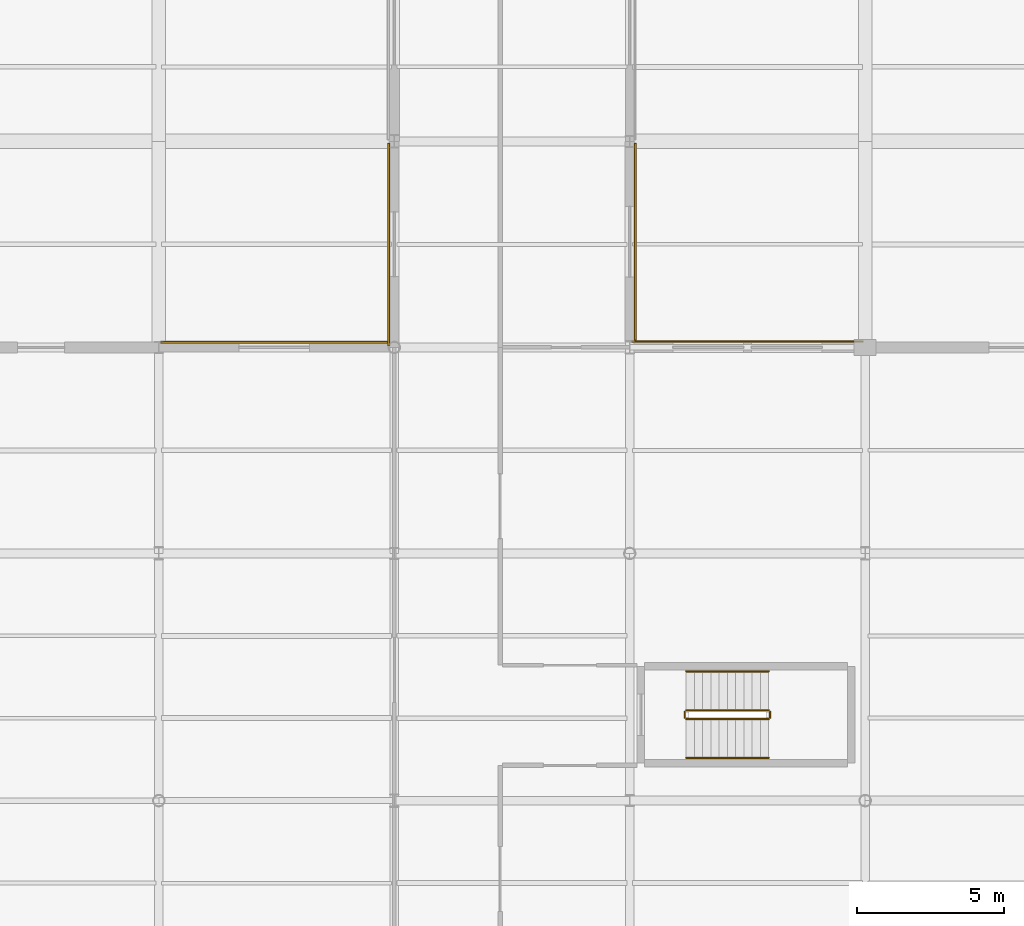
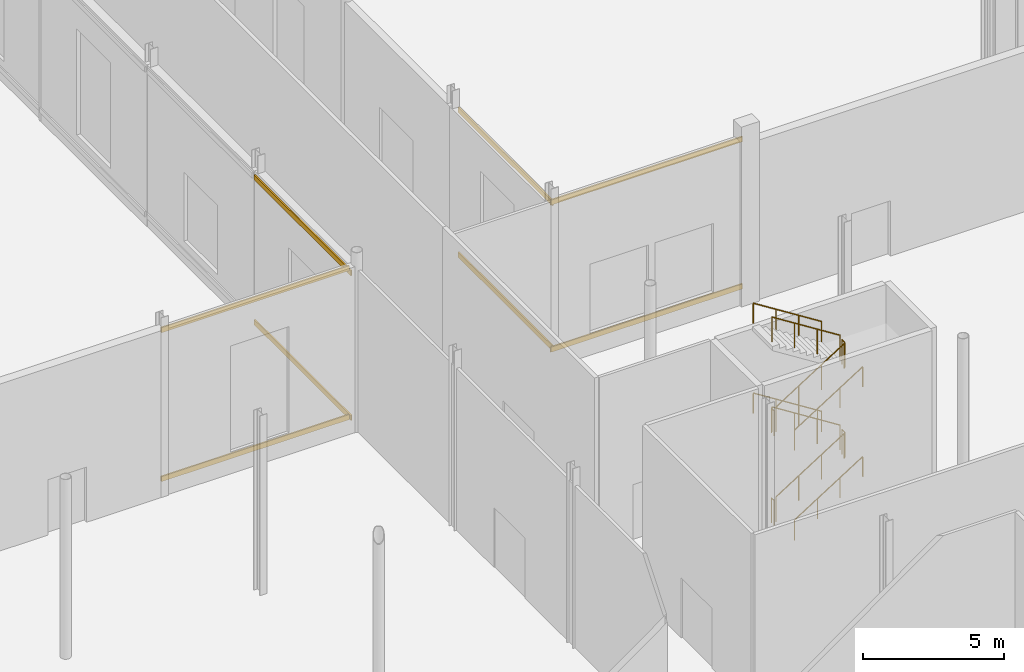
# One storey, part 163 of 176: 12 railings, 8 coverings.
"""IFC4 building model written with IfcOpenShell, lengths in metres."""

from ifc_helpers import new_model, si_unit, direction, frame, origin, origin_2d, place, context, subcontext, project, spatial, rectangle, circle, extrude, material, layer, layer_set, type_object, element, save


model = new_model("IFC4")

# Units and contexts
model_context = context("Model", 3, precision=1e-05, world=origin(), true_north=direction((0.0, 1.0)))
body_context = subcontext(model_context, "Body", "Model", "MODEL_VIEW")
ifc_project = project(units=[si_unit("LENGTHUNIT", "METRE"), si_unit("AREAUNIT", "SQUARE_METRE"), si_unit("VOLUMEUNIT", "CUBIC_METRE"), si_unit("PLANEANGLEUNIT", "RADIAN"), si_unit("MASSUNIT", "GRAM", prefix="KILO")], contexts=[model_context])

# Site, building, storey
site_placement = place(None, origin())
site = spatial("IfcSite", under=ifc_project, at=site_placement, CompositionType="ELEMENT")
building_placement = place(site_placement, origin())
building = spatial("IfcBuilding", under=site, at=building_placement, Name="Vekula Escarpment Museum", CompositionType="ELEMENT")
storey_placement = place(building_placement, origin())
storey = spatial("IfcBuildingStorey", under=building, at=storey_placement, Name="L01", CompositionType="ELEMENT", Elevation=0.0)

# Coverings
ifc_material_1 = material(Name="Polychrome limestone almasik string-course band", Category="masonry")
ifc_layer = layer(ifc_material_1, 0.06005859375)
ifc_layer_set = layer_set([ifc_layer], Name="Polychrome limestone almasik string-course band")
covering_type = type_object("IfcCoveringType", Name="COV-ALM-BAND", PredefinedType="CLADDING", material=ifc_layer_set)
for number, where, z_axis, x_axis, name in (
    (1, (52.0, 83.60107421875, 0.41015625), (0.0, 0.0, 1.0), (1.0, 0.0, 0.0), "Almasik Stone String Course L01-0095"),
    (2, (52.0, 83.60107421875, 6.794921875), (0.0, 0.0, 1.0), (1.0, 0.0, 0.0), "Almasik Stone String Course L01-0096"),
):
    element("IfcCovering", number, at=place(storey_placement, frame(where, z_axis=z_axis, x_axis=x_axis)), inside=storey, type_object=covering_type, Name=name, PredefinedType="CLADDING", context=body_context, shape_type="SweptSolid", body=[
        extrude(rectangle(XDim=7.8798828125, YDim=0.06005859375, at=origin_2d()), origin(), (0.0, 0.0, 1.0), 0.219970703125),
    ])
for number, where, z_axis, x_axis, name in (
    (3, (48.18603515625, 86.989501953125, 0.41015625), (0.0, 0.0, 1.0), (0.0, 1.0, 0.0), "Almasik Stone String Course L01-0097"),
    (4, (48.18603515625, 86.989501953125, 6.69482421875), (0.0, 0.0, 1.0), (0.0, 1.0, 0.0), "Almasik Stone String Course L01-0098"),
):
    element("IfcCovering", number, at=place(storey_placement, frame(where, z_axis=z_axis, x_axis=x_axis)), inside=storey, type_object=covering_type, Name=name, PredefinedType="CLADDING", context=body_context, shape_type="SweptSolid", body=[
        extrude(rectangle(XDim=6.700927734375, YDim=0.06005859375, at=origin_2d()), origin(), (0.0, 0.0, 1.0), 0.219970703125),
    ])
for number, where, z_axis, x_axis, name in (
    (5, (39.81396484375, 86.89990234375, 0.41015625), (0.0, 0.0, 1.0), (0.0, 1.0, 0.0), "Almasik Stone String Course L01-0149"),
    (6, (39.81396484375, 86.89990234375, 6.69482421875), (0.0, 0.0, 1.0), (0.0, 1.0, 0.0), "Almasik Stone String Course L01-0150"),
):
    element("IfcCovering", number, at=place(storey_placement, frame(where, z_axis=z_axis, x_axis=x_axis)), inside=storey, type_object=covering_type, Name=name, PredefinedType="CLADDING", context=body_context, shape_type="SweptSolid", body=[
        extrude(rectangle(XDim=6.8798828125, YDim=0.06005859375, at=origin_2d()), origin(), (0.0, 0.0, 1.0), 0.219970703125),
    ])
for number, where, z_axis, x_axis, name in (
    (7, (35.91796875, 83.575927734375, 0.41015625), (0.0, 0.0, 1.0), (1.0, 0.0, 0.0), "Almasik Stone String Course L01-0151"),
    (8, (35.91796875, 83.575927734375, 6.875), (0.0, 0.0, 1.0), (1.0, 0.0, 0.0), "Almasik Stone String Course L01-0152"),
):
    element("IfcCovering", number, at=place(storey_placement, frame(where, z_axis=z_axis, x_axis=x_axis)), inside=storey, type_object=covering_type, Name=name, PredefinedType="CLADDING", context=body_context, shape_type="SweptSolid", body=[
        extrude(rectangle(XDim=7.716064453125, YDim=0.06005859375, at=origin_2d()), origin(), (0.0, 0.0, 1.0), 0.219970703125),
    ])

# Railings
ifc_material_2 = material(Name="Painted Steel S355 stair guard", Category="steel")
railing_type_1 = type_object("IfcRailingType", Name="RL-STAIR-GUARD", PredefinedType="GUARDRAIL", material=ifc_material_2)
railing_1_placement = place(storey_placement, frame((49.919921875, 70.77001953125, 0.17724609375)))
element("IfcRailing", 9, at=railing_1_placement, inside=storey, type_object=railing_type_1, Name="L01 ST-10 stair guard 1", PredefinedType="GUARDRAIL", context=body_context, shape_type="SweptSolid", body=[
    extrude(circle(Radius=0.02392578125, at=origin_2d()), frame((0.0, 0.0, 1.076171875), z_axis=(0.844908973607, 0.0, 0.534910110503), x_axis=(0.0, 1.0, 0.0)), (0.0, 0.0, 1.0), 3.31396484375),
    extrude(circle(Radius=0.02099609375, at=origin_2d()), origin(), (0.0, 0.0, 1.0), 1.052001953125),
    extrude(circle(Radius=0.02099609375, at=origin_2d()), frame((0.933349609375, 0.0, 0.5908203125)), (0.0, 0.0, 1.0), 1.052001953125),
    extrude(circle(Radius=0.02099609375, at=origin_2d()), frame((1.86669921875, 0.0, 1.181884765625)), (0.0, 0.0, 1.0), 1.052001953125),
    extrude(circle(Radius=0.02099609375, at=origin_2d()), frame((2.800048828125, 0.0, 1.772705078125)), (0.0, 0.0, 1.0), 1.052001953125),
])
railing_2_placement = place(storey_placement, frame((52.77001953125, 70.820068359375, 1.949951171875)))
element("IfcRailing", 10, at=railing_2_placement, inside=storey, type_object=railing_type_1, Name="L01 ST-10 stair guard 2", PredefinedType="GUARDRAIL", context=body_context, shape_type="SweptSolid", body=[
    extrude(circle(Radius=0.02392578125, at=origin_2d()), frame((0.0, 0.0, 1.076171875), z_axis=(0.0, 1.0, 0.0), x_axis=(-1.0, 0.0, 0.0)), (0.0, 0.0, 1.0), 0.199951171875),
    extrude(circle(Radius=0.02099609375, at=origin_2d()), origin(), (0.0, 0.0, 1.0), 1.052001953125),
    extrude(circle(Radius=0.02099609375, at=origin_2d()), frame((0.0, 0.199951171875, 0.0)), (0.0, 0.0, 1.0), 1.052001953125),
])
railing_3_placement = place(storey_placement, frame((52.719970703125, 71.070068359375, 2.127197265625)))
element("IfcRailing", 11, at=railing_3_placement, inside=storey, type_object=railing_type_1, Name="L01 ST-10 stair guard 3", PredefinedType="GUARDRAIL", context=body_context, shape_type="SweptSolid", body=[
    extrude(circle(Radius=0.02392578125, at=origin_2d()), frame((0.0, 0.0, 1.076171875), z_axis=(-0.844908973607, 0.0, 0.534910110503), x_axis=(0.0, -1.0, 0.0)), (0.0, 0.0, 1.0), 3.31396484375),
    extrude(circle(Radius=0.02099609375, at=origin_2d()), origin(), (0.0, 0.0, 1.0), 1.052001953125),
    extrude(circle(Radius=0.02099609375, at=origin_2d()), frame((-0.933349609375, 0.0, 0.5908203125)), (0.0, 0.0, 1.0), 1.052001953125),
    extrude(circle(Radius=0.02099609375, at=origin_2d()), frame((-1.86669921875, 0.0, 1.181884765625)), (0.0, 0.0, 1.0), 1.052001953125),
    extrude(circle(Radius=0.02099609375, at=origin_2d()), frame((-2.800048828125, 0.0, 1.772705078125)), (0.0, 0.0, 1.0), 1.052001953125),
])
railing_4_placement = place(storey_placement, frame((49.8701171875, 70.820068359375, 3.89990234375)))
element("IfcRailing", 12, at=railing_4_placement, inside=storey, type_object=railing_type_1, Name="L01 ST-10 stair guard 4", PredefinedType="GUARDRAIL", context=body_context, shape_type="SweptSolid", body=[
    extrude(circle(Radius=0.02392578125, at=origin_2d()), frame((0.0, 0.0, 1.076171875), z_axis=(0.0, 1.0, 0.0), x_axis=(-1.0, 0.0, 0.0)), (0.0, 0.0, 1.0), 0.199951171875),
    extrude(circle(Radius=0.02099609375, at=origin_2d()), origin(), (0.0, 0.0, 1.0), 1.052001953125),
    extrude(circle(Radius=0.02099609375, at=origin_2d()), frame((0.0, 0.199951171875, 0.0)), (0.0, 0.0, 1.0), 1.052001953125),
])
railing_5_placement = place(storey_placement, frame((49.919921875, 70.77001953125, 4.077392578125)))
element("IfcRailing", 13, at=railing_5_placement, inside=storey, type_object=railing_type_1, Name="L01 ST-10 stair guard 5", PredefinedType="GUARDRAIL", context=body_context, shape_type="SweptSolid", body=[
    extrude(circle(Radius=0.02392578125, at=origin_2d()), frame((0.0, 0.0, 1.076171875), z_axis=(0.844908973607, 0.0, 0.534910110503), x_axis=(0.0, 1.0, 0.0)), (0.0, 0.0, 1.0), 3.31396484375),
    extrude(circle(Radius=0.02099609375, at=origin_2d()), origin(), (0.0, 0.0, 1.0), 1.052001953125),
    extrude(circle(Radius=0.02099609375, at=origin_2d()), frame((0.933349609375, 0.0, 0.5908203125)), (0.0, 0.0, 1.0), 1.052001953125),
    extrude(circle(Radius=0.02099609375, at=origin_2d()), frame((1.86669921875, 0.0, 1.181884765625)), (0.0, 0.0, 1.0), 1.052001953125),
    extrude(circle(Radius=0.02099609375, at=origin_2d()), frame((2.800048828125, 0.0, 1.772705078125)), (0.0, 0.0, 1.0), 1.052001953125),
])
railing_6_placement = place(storey_placement, frame((52.77001953125, 70.820068359375, 5.85009765625)))
element("IfcRailing", 14, at=railing_6_placement, inside=storey, type_object=railing_type_1, Name="L01 ST-10 stair guard 6", PredefinedType="GUARDRAIL", context=body_context, shape_type="SweptSolid", body=[
    extrude(circle(Radius=0.02392578125, at=origin_2d()), frame((0.0, 0.0, 1.076171875), z_axis=(0.0, 1.0, 0.0), x_axis=(-1.0, 0.0, 0.0)), (0.0, 0.0, 1.0), 0.199951171875),
    extrude(circle(Radius=0.02099609375, at=origin_2d()), origin(), (0.0, 0.0, 1.0), 1.052001953125),
    extrude(circle(Radius=0.02099609375, at=origin_2d()), frame((0.0, 0.199951171875, 0.0)), (0.0, 0.0, 1.0), 1.052001953125),
])
railing_7_placement = place(storey_placement, frame((52.719970703125, 71.070068359375, 6.02734375)))
element("IfcRailing", 15, at=railing_7_placement, inside=storey, type_object=railing_type_1, Name="L01 ST-10 stair guard 7", PredefinedType="GUARDRAIL", context=body_context, shape_type="SweptSolid", body=[
    extrude(circle(Radius=0.02392578125, at=origin_2d()), frame((0.0, 0.0, 1.076171875), z_axis=(-0.844908973607, 0.0, 0.534910110503), x_axis=(0.0, -1.0, 0.0)), (0.0, 0.0, 1.0), 3.31396484375),
    extrude(circle(Radius=0.02099609375, at=origin_2d()), origin(), (0.0, 0.0, 1.0), 1.052001953125),
    extrude(circle(Radius=0.02099609375, at=origin_2d()), frame((-0.933349609375, 0.0, 0.5908203125)), (0.0, 0.0, 1.0), 1.052001953125),
    extrude(circle(Radius=0.02099609375, at=origin_2d()), frame((-1.86669921875, 0.0, 1.181884765625)), (0.0, 0.0, 1.0), 1.052001953125),
    extrude(circle(Radius=0.02099609375, at=origin_2d()), frame((-2.800048828125, 0.0, 1.772705078125)), (0.0, 0.0, 1.0), 1.052001953125),
])
railing_8_placement = place(storey_placement, frame((49.8701171875, 70.820068359375, 0.0)))
element("IfcRailing", 16, at=railing_8_placement, inside=storey, type_object=railing_type_1, Name="L01 ST-10 stair guard 8", PredefinedType="GUARDRAIL", context=body_context, shape_type="SweptSolid", body=[
    extrude(circle(Radius=0.02392578125, at=origin_2d()), frame((0.0, 0.0, 1.076171875), z_axis=(0.0, 1.0, 0.0), x_axis=(-1.0, 0.0, 0.0)), (0.0, 0.0, 1.0), 0.199951171875),
    extrude(circle(Radius=0.02099609375, at=origin_2d()), origin(), (0.0, 0.0, 1.0), 1.052001953125),
    extrude(circle(Radius=0.02099609375, at=origin_2d()), frame((0.0, 0.199951171875, 0.0)), (0.0, 0.0, 1.0), 1.052001953125),
])
ifc_material_3 = material(Name="Brushed stainless steel handrail", Category="steel")
railing_type_2 = type_object("IfcRailingType", Name="RL-STAIR-HAND", PredefinedType="HANDRAIL", material=ifc_material_3)
railing_9_placement = place(storey_placement, frame((49.919921875, 69.449951171875, 0.17724609375)))
element("IfcRailing", 17, at=railing_9_placement, inside=storey, type_object=railing_type_2, Name="L01 ST-10 stair handrail 1", PredefinedType="HANDRAIL", context=body_context, shape_type="SweptSolid", body=[
    extrude(circle(Radius=0.02392578125, at=origin_2d()), frame((0.0, 0.0, 0.8759765625), z_axis=(0.844908973607, 0.0, 0.534910110503), x_axis=(0.0, 1.0, 0.0)), (0.0, 0.0, 1.0), 3.31396484375),
    extrude(circle(Radius=0.02099609375, at=origin_2d()), origin(), (0.0, 0.0, 1.0), 0.851806640625),
    extrude(circle(Radius=0.02099609375, at=origin_2d()), frame((0.933349609375, 0.0, 0.5908203125)), (0.0, 0.0, 1.0), 0.851806640625),
    extrude(circle(Radius=0.02099609375, at=origin_2d()), frame((1.86669921875, 0.0, 1.181884765625)), (0.0, 0.0, 1.0), 0.851806640625),
    extrude(circle(Radius=0.02099609375, at=origin_2d()), frame((2.800048828125, 0.0, 1.772705078125)), (0.0, 0.0, 1.0), 0.851806640625),
])
railing_10_placement = place(storey_placement, frame((52.719970703125, 72.389892578125, 2.127197265625)))
element("IfcRailing", 18, at=railing_10_placement, inside=storey, type_object=railing_type_2, Name="L01 ST-10 stair handrail 2", PredefinedType="HANDRAIL", context=body_context, shape_type="SweptSolid", body=[
    extrude(circle(Radius=0.02392578125, at=origin_2d()), frame((0.0, 0.0, 0.8759765625), z_axis=(-0.844908973607, 0.0, 0.534910110503), x_axis=(0.0, -1.0, 0.0)), (0.0, 0.0, 1.0), 3.31396484375),
    extrude(circle(Radius=0.02099609375, at=origin_2d()), origin(), (0.0, 0.0, 1.0), 0.851806640625),
    extrude(circle(Radius=0.02099609375, at=origin_2d()), frame((-0.933349609375, 0.0, 0.5908203125)), (0.0, 0.0, 1.0), 0.851806640625),
    extrude(circle(Radius=0.02099609375, at=origin_2d()), frame((-1.86669921875, 0.0, 1.181884765625)), (0.0, 0.0, 1.0), 0.851806640625),
    extrude(circle(Radius=0.02099609375, at=origin_2d()), frame((-2.800048828125, 0.0, 1.772705078125)), (0.0, 0.0, 1.0), 0.851806640625),
])
railing_11_placement = place(storey_placement, frame((49.919921875, 69.449951171875, 4.077392578125)))
element("IfcRailing", 19, at=railing_11_placement, inside=storey, type_object=railing_type_2, Name="L01 ST-10 stair handrail 3", PredefinedType="HANDRAIL", context=body_context, shape_type="SweptSolid", body=[
    extrude(circle(Radius=0.02392578125, at=origin_2d()), frame((0.0, 0.0, 0.8759765625), z_axis=(0.844908973607, 0.0, 0.534910110503), x_axis=(0.0, 1.0, 0.0)), (0.0, 0.0, 1.0), 3.31396484375),
    extrude(circle(Radius=0.02099609375, at=origin_2d()), origin(), (0.0, 0.0, 1.0), 0.851806640625),
    extrude(circle(Radius=0.02099609375, at=origin_2d()), frame((0.933349609375, 0.0, 0.5908203125)), (0.0, 0.0, 1.0), 0.851806640625),
    extrude(circle(Radius=0.02099609375, at=origin_2d()), frame((1.86669921875, 0.0, 1.181884765625)), (0.0, 0.0, 1.0), 0.851806640625),
    extrude(circle(Radius=0.02099609375, at=origin_2d()), frame((2.800048828125, 0.0, 1.772705078125)), (0.0, 0.0, 1.0), 0.851806640625),
])
railing_12_placement = place(storey_placement, frame((52.719970703125, 72.389892578125, 6.02734375)))
element("IfcRailing", 20, at=railing_12_placement, inside=storey, type_object=railing_type_2, Name="L01 ST-10 stair handrail 4", PredefinedType="HANDRAIL", context=body_context, shape_type="SweptSolid", body=[
    extrude(circle(Radius=0.02392578125, at=origin_2d()), frame((0.0, 0.0, 0.8759765625), z_axis=(-0.844908973607, 0.0, 0.534910110503), x_axis=(0.0, -1.0, 0.0)), (0.0, 0.0, 1.0), 3.31396484375),
    extrude(circle(Radius=0.02099609375, at=origin_2d()), origin(), (0.0, 0.0, 1.0), 0.851806640625),
    extrude(circle(Radius=0.02099609375, at=origin_2d()), frame((-0.933349609375, 0.0, 0.5908203125)), (0.0, 0.0, 1.0), 0.851806640625),
    extrude(circle(Radius=0.02099609375, at=origin_2d()), frame((-1.86669921875, 0.0, 1.181884765625)), (0.0, 0.0, 1.0), 0.851806640625),
    extrude(circle(Radius=0.02099609375, at=origin_2d()), frame((-2.800048828125, 0.0, 1.772705078125)), (0.0, 0.0, 1.0), 0.851806640625),
])

save(model, "model.ifc")
